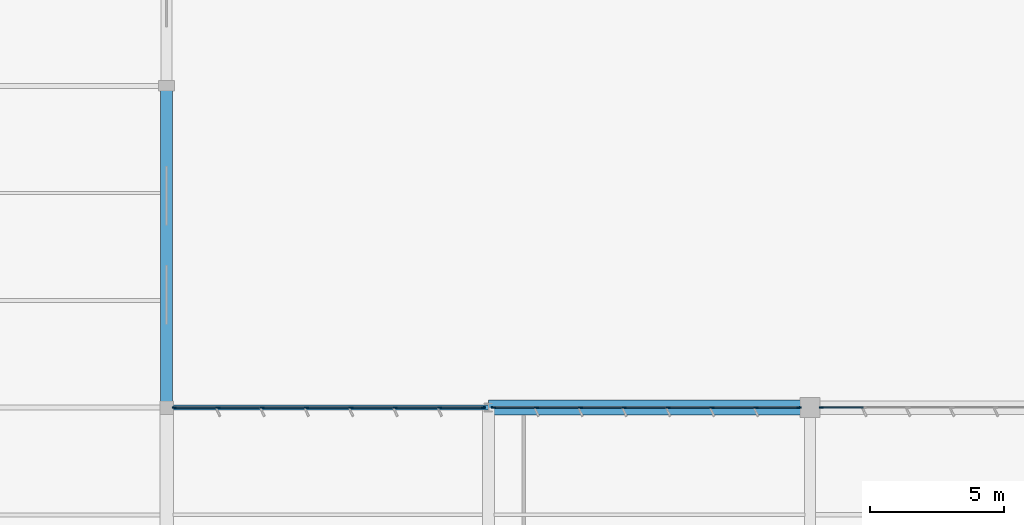
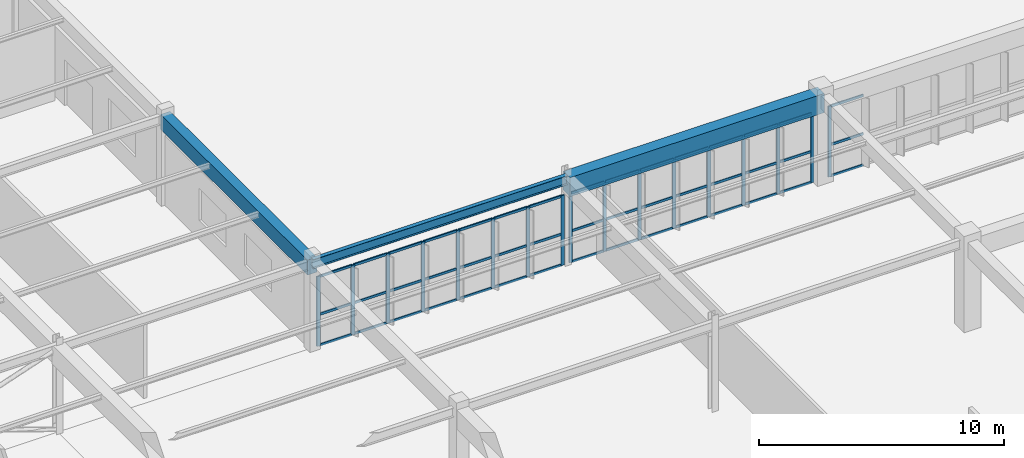
# One storey, part 76 of 199: 62 members, 3 beams, 3 elements without a shape of their own.
"""IFC4 building model written with IfcOpenShell, lengths in metres."""

import ifcopenshell
import ifcopenshell.guid

model = None  # the IFC model being written
_history = None  # IfcOwnerHistory: only IFC2X3 demands one
_inside = {}  # id of a spatial element -> (the spatial element, [elements in it])
_under = {}  # id of a project, library or spatial element -> (it, [spatial elements below it])
_declared = {}  # id of a project -> (the project, [libraries it declares])
_typed = {}  # id of a type object -> (the type object, [elements of that type])
_made_of = {}  # id of a material, layer set ... -> (it, [elements and type objects made of it])


def new_model(schema):
    """Start an empty IFC model of exactly this schema.

    Asked for "IFC4X3", IfcOpenShell would pick the latest addendum, in which some entities
    have other attributes; the version numbers below select the first issue.
    IFC2X3 requires an IfcOwnerHistory on every rooted entity: one is made here for all.
    """
    global model, _history
    if schema == "IFC4X3":
        model = ifcopenshell.file(schema_version=(4, 3, 0, 0))
    else:
        model = ifcopenshell.file(schema=schema)
    _inside.clear()
    _under.clear()
    _declared.clear()
    _typed.clear()
    _made_of.clear()
    _history = None
    if model.schema == "IFC2X3":
        org = make("IfcOrganization", Name="unknown")
        user = make(
            "IfcPersonAndOrganization",
            ThePerson=make("IfcPerson", FamilyName="unknown"),
            TheOrganization=org,
        )
        app = make(
            "IfcApplication",
            ApplicationDeveloper=org,
            Version="unknown",
            ApplicationFullName="unknown",
            ApplicationIdentifier="unknown",
        )
        _history = make(
            "IfcOwnerHistory",
            OwningUser=user,
            OwningApplication=app,
            ChangeAction="ADDED",
            CreationDate=0,
        )
    return model


def make(cls, **values):
    """One entity of the class cls with the attributes given. An attribute that is None is left unset."""
    return model.create_entity(
        cls, **{name: value for name, value in values.items() if value is not None}
    )


def rooted(cls, **values):
    """An entity with a GlobalId (a new one), such as an element, a storey or a relation."""
    return make(cls, GlobalId=ifcopenshell.guid.new(), OwnerHistory=_history, **values)


def si_unit(unit_type, name, prefix=None):
    """IfcSIUnit, for example si_unit("LENGTHUNIT", "METRE", prefix="MILLI")."""
    return make("IfcSIUnit", UnitType=unit_type, Prefix=prefix, Name=name)


def assignment(units):
    """IfcUnitAssignment: the units of a project."""
    return None if units is None else make("IfcUnitAssignment", Units=units)


def point(xyz):
    """IfcCartesianPoint."""
    return None if xyz is None else make("IfcCartesianPoint", Coordinates=xyz)


def direction(xyz):
    """IfcDirection."""
    return None if xyz is None else make("IfcDirection", DirectionRatios=xyz)


def frame(location, z_axis=None, x_axis=None):
    """IfcAxis2Placement3D, a coordinate frame: its origin and axes. An axis left out is left unset."""
    return make(
        "IfcAxis2Placement3D",
        Location=point(location),
        Axis=direction(z_axis),
        RefDirection=direction(x_axis),
    )


def frame_2d(location, x_axis=None):
    """IfcAxis2Placement2D, a coordinate frame in the plane: its origin and x axis."""
    return make(
        "IfcAxis2Placement2D", Location=point(location), RefDirection=direction(x_axis)
    )


def origin():
    """The frame at (0, 0, 0) with its axes left unset."""
    return frame((0.0, 0.0, 0.0))


def origin_2d():
    """The frame at (0, 0) in the plane with its x axis left unset."""
    return frame_2d((0.0, 0.0))


def place(relative_to, where):
    """IfcLocalPlacement: puts the frame where relative to a parent placement (None: the world)."""
    return make(
        "IfcLocalPlacement", PlacementRelTo=relative_to, RelativePlacement=where
    )


def context(
    kind, dimensions, precision=None, world=None, true_north=None, identifier=None
):
    """IfcGeometricRepresentationContext, for example the 3D "Model" context."""
    return make(
        "IfcGeometricRepresentationContext",
        ContextIdentifier=identifier,
        ContextType=kind,
        CoordinateSpaceDimension=dimensions,
        Precision=precision,
        WorldCoordinateSystem=world,
        TrueNorth=true_north,
    )


def subcontext(parent, identifier, kind, view, scale=None):
    """IfcGeometricRepresentationSubContext, for example "Body" below "Model"."""
    return make(
        "IfcGeometricRepresentationSubContext",
        ContextIdentifier=identifier,
        ContextType=kind,
        ParentContext=parent,
        TargetScale=scale,
        TargetView=view,
    )


def project(units=None, contexts=None):
    """IfcProject with its units and contexts."""
    return rooted(
        "IfcProject",
        Name="project",
        RepresentationContexts=contexts,
        UnitsInContext=assignment(units),
    )


def spatial(cls, under=None, at=None, **own):
    """A site, building, storey or space (cls), placed at a placement, below another one or the project."""
    s = rooted(cls, ObjectPlacement=at, **own)
    if under is not None:
        _under.setdefault(under.id(), (under, []))[1].append(s)
    return s


def profile(cls, at=None, kind="AREA", **sizes):
    """A parametric profile (cls). Its sizes go by their IFC names, for example OverallWidth=200.0."""
    return make(cls, ProfileType=kind, Position=at, **sizes)


def rectangle(**sizes):
    """IfcRectangleProfileDef."""
    return profile("IfcRectangleProfileDef", **sizes)


def i_section(**sizes):
    """IfcIShapeProfileDef."""
    return profile("IfcIShapeProfileDef", **sizes)


def extrude(swept, where, along, depth):
    """IfcExtrudedAreaSolid: the profile swept, set in the frame where, extruded along a direction by depth."""
    return make(
        "IfcExtrudedAreaSolid",
        SweptArea=swept,
        Position=where,
        ExtrudedDirection=direction(along),
        Depth=depth,
    )


def shape(context_of_items, identifier, shape_type, items):
    """IfcShapeRepresentation: the items that make up one representation, for example the "Body"."""
    return make(
        "IfcShapeRepresentation",
        ContextOfItems=context_of_items,
        RepresentationIdentifier=identifier,
        RepresentationType=shape_type,
        Items=items,
    )


def material(Name=None, Category=None):
    """IfcMaterial."""
    return make("IfcMaterial", Name=Name, Category=Category)


def layer(
    of_material, thickness, ventilated=None, Name=None, Category=None, Priority=None
):
    """IfcMaterialLayer: one layer of a wall or slab, of a material (None: an air gap)."""
    return make(
        "IfcMaterialLayer",
        Material=of_material,
        LayerThickness=thickness,
        IsVentilated=ventilated,
        Name=Name,
        Category=Category,
        Priority=Priority,
    )


def layer_set(layers, Name=None):
    """IfcMaterialLayerSet."""
    return make("IfcMaterialLayerSet", MaterialLayers=layers, LayerSetName=Name)


def material_profile(
    of_material, cross_section, Name=None, Category=None, Priority=None
):
    """IfcMaterialProfile: a cross section and its material."""
    return make(
        "IfcMaterialProfile",
        Name=Name,
        Material=of_material,
        Profile=cross_section,
        Priority=Priority,
        Category=Category,
    )


def profile_set(profiles, Name=None, composite=None):
    """IfcMaterialProfileSet."""
    return make(
        "IfcMaterialProfileSet",
        Name=Name,
        MaterialProfiles=profiles,
        CompositeProfile=composite,
    )


def made_of(thing, what):
    """Note that an element or type object is made of a material, layer set ...; save() writes the relation."""
    if what is not None:
        _made_of.setdefault(what.id(), (what, []))[1].append(thing)
    return thing


def type_object(cls, material=None, **own):
    """A type object (cls), such as IfcWallType, which elements share."""
    return made_of(rooted(cls, **own), material)


def element(
    cls,
    number,
    at=None,
    inside=None,
    cuts=None,
    type_object=None,
    material=None,
    context=None,
    identifier="Body",
    shape_type=None,
    held_by="IfcProductDefinitionShape",
    body=None,
    shapes=None,
    **own,
):
    """One element of the class cls, such as IfcWall. Its Tag is "e" and its number.

    at: its placement. inside: the storey or other place that contains it. cuts: it is an
    opening in that element (IfcRelVoidsElement). A single representation is given by context,
    identifier, shape_type and body (its items); several are given by shapes. held_by: the class
    of the entity that holds the representations. save() writes the other relations.
    """
    e = rooted(cls, Tag="e%d" % number, ObjectPlacement=at, **own)
    if body is not None:
        shapes = [shape(context, identifier, shape_type, body)]
    if shapes is not None:
        e.Representation = make(held_by, Representations=shapes)
    if inside is not None:
        _inside.setdefault(inside.id(), (inside, []))[1].append(e)
    if cuts is not None:
        rooted(
            "IfcRelVoidsElement", RelatingBuildingElement=cuts, RelatedOpeningElement=e
        )
    if type_object is not None:
        _typed.setdefault(type_object.id(), (type_object, []))[1].append(e)
    return made_of(e, material)


def aggregate(whole, parts):
    """IfcRelAggregates: a whole, such as a stair, and the parts it consists of."""
    return rooted("IfcRelAggregates", RelatingObject=whole, RelatedObjects=parts)


def save(model, path):
    """Write the relations noted so far, then the file.

    IfcRelAggregates (storeys below a building ...), IfcRelContainedInSpatialStructure (elements
    in a storey), IfcRelDefinesByType, IfcRelAssociatesMaterial and IfcRelDeclares: one each for
    every whole, place, type object, material and project.
    """
    for whole, parts in _under.values():
        aggregate(whole, parts)
    for where, things in _inside.values():
        rooted(
            "IfcRelContainedInSpatialStructure",
            RelatedElements=things,
            RelatingStructure=where,
        )
    for kind, things in _typed.values():
        rooted("IfcRelDefinesByType", RelatedObjects=things, RelatingType=kind)
    for what, things in _made_of.values():
        rooted("IfcRelAssociatesMaterial", RelatedObjects=things, RelatingMaterial=what)
    for by, libraries in _declared.values():
        rooted("IfcRelDeclares", RelatingContext=by, RelatedDefinitions=libraries)
    model.write(path)


model = new_model("IFC4")

# Units and contexts
model_context = context("Model", 3, precision=1e-05, world=origin(), true_north=direction((0.0, 1.0)))
body_context = subcontext(model_context, "Body", "Model", "MODEL_VIEW")
ifc_project = project(units=[si_unit("LENGTHUNIT", "METRE"), si_unit("AREAUNIT", "SQUARE_METRE"), si_unit("VOLUMEUNIT", "CUBIC_METRE"), si_unit("PLANEANGLEUNIT", "RADIAN"), si_unit("MASSUNIT", "GRAM", prefix="KILO")], contexts=[model_context])

# Site, building, storey
site_placement = place(None, origin())
site = spatial("IfcSite", under=ifc_project, at=site_placement, CompositionType="ELEMENT")
building_placement = place(site_placement, origin())
building = spatial("IfcBuilding", under=site, at=building_placement, Name="Tarnwether General Hospital", CompositionType="ELEMENT")
storey_placement = place(building_placement, origin())
storey = spatial("IfcBuildingStorey", under=building, at=storey_placement, Name="L00", CompositionType="ELEMENT", Elevation=0.0)

# Beams
ifc_material_1 = material(Name="Steel Grade 350 (350 MPa)", Category="steel")
ifc_material_profile_1 = material_profile(ifc_material_1, i_section(OverallWidth=0.18994140625, OverallDepth=0.4541015625, WebThickness=0.008544921875, FlangeThickness=0.0126953125, at=origin_2d()), Name="460UB67.1")
ifc_profile_set_1 = profile_set([ifc_material_profile_1], Name="Steel Grade 350 (350 MPa)")
beam_type_1 = type_object("IfcBeamType", Name="BM-G10", PredefinedType="BEAM", material=ifc_profile_set_1)
beam_1_placement = place(storey_placement, frame((60.0, 45.60009765625, 4.218017578125), z_axis=(1.0, 0.0, 0.0), x_axis=(0.0, 1.0, 0.0)))
element("IfcBeam", 1, at=beam_1_placement, inside=storey, type_object=beam_type_1, Name="Primary Girder BMG-L00-6000_4560-7200_4560-0698", PredefinedType="BEAM", context=body_context, shape_type="SweptSolid", body=[
    extrude(i_section(OverallWidth=0.18994140625, OverallDepth=0.4541015625, WebThickness=0.008544921875, FlangeThickness=0.0126953125, at=origin_2d()), origin(), (0.0, 0.0, 1.0), 12.0),
])
ifc_material_2 = material(Name="Concrete 40 MPa", Category="concrete")
ifc_material_profile_2 = material_profile(ifc_material_2, rectangle(XDim=0.550048828125, YDim=0.949951171875, at=origin_2d()), Name="RC-BM-550x950")
ifc_profile_set_2 = profile_set([ifc_material_profile_2], Name="Concrete 40 MPa")
beam_type_2 = type_object("IfcBeamType", Name="BM-G11", PredefinedType="BEAM", material=ifc_profile_set_2)
beam_2_placement = place(storey_placement, frame((72.0, 45.60009765625, 3.969970703125), z_axis=(1.0, 0.0, 0.0), x_axis=(0.0, 1.0, 0.0)))
element("IfcBeam", 2, at=beam_2_placement, inside=storey, type_object=beam_type_2, Name="Primary Girder BMG-L00-7200_4560-8400_4560-0712", PredefinedType="BEAM", context=body_context, shape_type="SweptSolid", body=[
    extrude(rectangle(XDim=0.550048828125, YDim=0.949951171875, at=origin_2d()), origin(), (0.0, 0.0, 1.0), 12.0),
])
ifc_material_3 = material(Name="Concrete 40 MPa", Category="concrete")
ifc_material_profile_3 = material_profile(ifc_material_3, rectangle(XDim=0.449951171875, YDim=0.75, at=origin_2d()), Name="RC-BM-450x750")
ifc_profile_set_3 = profile_set([ifc_material_profile_3], Name="Concrete 40 MPa")
beam_type_3 = type_object("IfcBeamType", Name="BM-G13", PredefinedType="BEAM", material=ifc_profile_set_3)
beam_3_placement = place(storey_placement, frame((60.0, 45.60009765625, 4.070068359375), z_axis=(0.0, 1.0, 0.0), x_axis=(-1.0, 0.0, 0.0)))
element("IfcBeam", 3, at=beam_3_placement, inside=storey, type_object=beam_type_3, Name="Primary Girder BMG-L00-6000_4560-6000_5760-0699", PredefinedType="BEAM", context=body_context, shape_type="SweptSolid", body=[
    extrude(rectangle(XDim=0.449951171875, YDim=0.75, at=origin_2d()), origin(), (0.0, 0.0, 1.0), 12.0),
])

# Curtain wall, member
ifc_material_4 = material(Name="Anodised aluminium", Category="aluminium")
ifc_layer = layer(ifc_material_4, 0.159912109375)
ifc_layer_set = layer_set([ifc_layer], Name="Anodised aluminium")
curtain_wall_type = type_object("IfcCurtainWallType", Name="CW-24", PredefinedType="NOTDEFINED", material=ifc_layer_set)
curtain_wall_1_placement = place(storey_placement, origin())
curtain_wall_1 = element("IfcCurtainWall", 4, at=curtain_wall_1_placement, inside=storey, type_object=curtain_wall_type, Name="Curtain Wall CWG-L00-958_456-0310", PredefinedType="NOTDEFINED")
ifc_material_5 = material(Name="Anodised aluminium", Category="aluminium")
ifc_material_profile_4 = material_profile(ifc_material_5, rectangle(XDim=0.06005859375, YDim=0.159912109375, at=origin_2d()), Name="ALU-MUL-60x160")
ifc_profile_set_4 = profile_set([ifc_material_profile_4], Name="Anodised aluminium")
member_type_1 = type_object("IfcMemberType", Name="CW-ML1", PredefinedType="MULLION", material=ifc_profile_set_4)
member_1_placement = place(storey_placement, frame((84.4130859375, 45.60009765625, 0.0), z_axis=(0.0, 0.0, 1.0), x_axis=(0.0, -1.0, 0.0)))
member_1 = element("IfcMember", 5, at=member_1_placement, type_object=member_type_1, Name="CW-24 mullion 8", PredefinedType="MULLION", context=body_context, shape_type="SweptSolid", body=[
    extrude(rectangle(XDim=0.06005859375, YDim=0.159912109375, at=origin_2d()), origin(), (0.0, 0.0, 1.0), 3.530029296875),
])

# Curtain wall, members
curtain_wall_2_placement = place(storey_placement, origin())
curtain_wall_2 = element("IfcCurtainWall", 6, at=curtain_wall_2_placement, inside=storey, type_object=curtain_wall_type, Name="Curtain Wall CWG-L00-836_456-0311", PredefinedType="NOTDEFINED")
member_2_placement = place(storey_placement, frame((83.5869140625, 45.60009765625, 0.0), z_axis=(0.0, 0.0, 1.0), x_axis=(0.0, -1.0, 0.0)))
member_2 = element("IfcMember", 7, at=member_2_placement, type_object=member_type_1, Name="CW-24 mullion 1", PredefinedType="MULLION", context=body_context, shape_type="SweptSolid", body=[
    extrude(rectangle(XDim=0.06005859375, YDim=0.159912109375, at=origin_2d()), origin(), (0.0, 0.0, 1.0), 3.47998046875),
])
member_3_placement = place(storey_placement, frame((81.98046875, 45.60009765625, 0.0), z_axis=(0.0, 0.0, 1.0), x_axis=(0.0, -1.0, 0.0)))
member_3 = element("IfcMember", 8, at=member_3_placement, type_object=member_type_1, Name="CW-24 mullion 2", PredefinedType="MULLION", context=body_context, shape_type="SweptSolid", body=[
    extrude(rectangle(XDim=0.06005859375, YDim=0.159912109375, at=origin_2d()), origin(), (0.0, 0.0, 1.0), 3.47998046875),
])
member_4_placement = place(storey_placement, frame((80.34375, 45.60009765625, 0.0), z_axis=(0.0, 0.0, 1.0), x_axis=(0.0, -1.0, 0.0)))
member_4 = element("IfcMember", 9, at=member_4_placement, type_object=member_type_1, Name="CW-24 mullion 3", PredefinedType="MULLION", context=body_context, shape_type="SweptSolid", body=[
    extrude(rectangle(XDim=0.06005859375, YDim=0.159912109375, at=origin_2d()), origin(), (0.0, 0.0, 1.0), 3.47998046875),
])
member_5_placement = place(storey_placement, frame((78.707275390625, 45.60009765625, 0.0), z_axis=(0.0, 0.0, 1.0), x_axis=(0.0, -1.0, 0.0)))
member_5 = element("IfcMember", 10, at=member_5_placement, type_object=member_type_1, Name="CW-24 mullion 4", PredefinedType="MULLION", context=body_context, shape_type="SweptSolid", body=[
    extrude(rectangle(XDim=0.06005859375, YDim=0.159912109375, at=origin_2d()), origin(), (0.0, 0.0, 1.0), 3.47998046875),
])
member_6_placement = place(storey_placement, frame((77.07080078125, 45.60009765625, 0.0), z_axis=(0.0, 0.0, 1.0), x_axis=(0.0, -1.0, 0.0)))
member_6 = element("IfcMember", 11, at=member_6_placement, type_object=member_type_1, Name="CW-24 mullion 5", PredefinedType="MULLION", context=body_context, shape_type="SweptSolid", body=[
    extrude(rectangle(XDim=0.06005859375, YDim=0.159912109375, at=origin_2d()), origin(), (0.0, 0.0, 1.0), 3.47998046875),
])
member_7_placement = place(storey_placement, frame((75.43408203125, 45.60009765625, 0.0), z_axis=(0.0, 0.0, 1.0), x_axis=(0.0, -1.0, 0.0)))
member_7 = element("IfcMember", 12, at=member_7_placement, type_object=member_type_1, Name="CW-24 mullion 6", PredefinedType="MULLION", context=body_context, shape_type="SweptSolid", body=[
    extrude(rectangle(XDim=0.06005859375, YDim=0.159912109375, at=origin_2d()), origin(), (0.0, 0.0, 1.0), 3.47998046875),
])
member_8_placement = place(storey_placement, frame((73.797607421875, 45.60009765625, 0.0), z_axis=(0.0, 0.0, 1.0), x_axis=(0.0, -1.0, 0.0)))
member_8 = element("IfcMember", 13, at=member_8_placement, type_object=member_type_1, Name="CW-24 mullion 7", PredefinedType="MULLION", context=body_context, shape_type="SweptSolid", body=[
    extrude(rectangle(XDim=0.06005859375, YDim=0.159912109375, at=origin_2d()), origin(), (0.0, 0.0, 1.0), 3.47998046875),
])
member_9_placement = place(storey_placement, frame((72.19091796875, 45.60009765625, 0.0), z_axis=(0.0, 0.0, 1.0), x_axis=(0.0, -1.0, 0.0)))
member_9 = element("IfcMember", 14, at=member_9_placement, type_object=member_type_1, Name="CW-24 mullion 8", PredefinedType="MULLION", context=body_context, shape_type="SweptSolid", body=[
    extrude(rectangle(XDim=0.06005859375, YDim=0.159912109375, at=origin_2d()), origin(), (0.0, 0.0, 1.0), 3.47998046875),
])

curtain_wall_3_placement = place(storey_placement, origin())
curtain_wall_3 = element("IfcCurtainWall", 15, at=curtain_wall_3_placement, inside=storey, type_object=curtain_wall_type, Name="Curtain Wall CWG-L00-718_456-0312", PredefinedType="NOTDEFINED")
member_10_placement = place(storey_placement, frame((71.80908203125, 45.60009765625, 0.0), z_axis=(0.0, 0.0, 1.0), x_axis=(0.0, -1.0, 0.0)))
member_10 = element("IfcMember", 16, at=member_10_placement, type_object=member_type_1, Name="CW-24 mullion 1", PredefinedType="MULLION", context=body_context, shape_type="SweptSolid", body=[
    extrude(rectangle(XDim=0.06005859375, YDim=0.159912109375, at=origin_2d()), origin(), (0.0, 0.0, 1.0), 3.47998046875),
])
member_11_placement = place(storey_placement, frame((70.1845703125, 45.60009765625, 0.0), z_axis=(0.0, 0.0, 1.0), x_axis=(0.0, -1.0, 0.0)))
member_11 = element("IfcMember", 17, at=member_11_placement, type_object=member_type_1, Name="CW-24 mullion 2", PredefinedType="MULLION", context=body_context, shape_type="SweptSolid", body=[
    extrude(rectangle(XDim=0.06005859375, YDim=0.159912109375, at=origin_2d()), origin(), (0.0, 0.0, 1.0), 3.47998046875),
])
member_12_placement = place(storey_placement, frame((68.530029296875, 45.60009765625, 0.0), z_axis=(0.0, 0.0, 1.0), x_axis=(0.0, -1.0, 0.0)))
member_12 = element("IfcMember", 18, at=member_12_placement, type_object=member_type_1, Name="CW-24 mullion 3", PredefinedType="MULLION", context=body_context, shape_type="SweptSolid", body=[
    extrude(rectangle(XDim=0.06005859375, YDim=0.159912109375, at=origin_2d()), origin(), (0.0, 0.0, 1.0), 3.47998046875),
])
member_13_placement = place(storey_placement, frame((66.875732421875, 45.60009765625, 0.0), z_axis=(0.0, 0.0, 1.0), x_axis=(0.0, -1.0, 0.0)))
member_13 = element("IfcMember", 19, at=member_13_placement, type_object=member_type_1, Name="CW-24 mullion 4", PredefinedType="MULLION", context=body_context, shape_type="SweptSolid", body=[
    extrude(rectangle(XDim=0.06005859375, YDim=0.159912109375, at=origin_2d()), origin(), (0.0, 0.0, 1.0), 3.47998046875),
])
member_14_placement = place(storey_placement, frame((65.22119140625, 45.60009765625, 0.0), z_axis=(0.0, 0.0, 1.0), x_axis=(0.0, -1.0, 0.0)))
member_14 = element("IfcMember", 20, at=member_14_placement, type_object=member_type_1, Name="CW-24 mullion 5", PredefinedType="MULLION", context=body_context, shape_type="SweptSolid", body=[
    extrude(rectangle(XDim=0.06005859375, YDim=0.159912109375, at=origin_2d()), origin(), (0.0, 0.0, 1.0), 3.47998046875),
])
member_15_placement = place(storey_placement, frame((63.56689453125, 45.60009765625, 0.0), z_axis=(0.0, 0.0, 1.0), x_axis=(0.0, -1.0, 0.0)))
member_15 = element("IfcMember", 21, at=member_15_placement, type_object=member_type_1, Name="CW-24 mullion 6", PredefinedType="MULLION", context=body_context, shape_type="SweptSolid", body=[
    extrude(rectangle(XDim=0.06005859375, YDim=0.159912109375, at=origin_2d()), origin(), (0.0, 0.0, 1.0), 3.47998046875),
])
member_16_placement = place(storey_placement, frame((61.912353515625, 45.60009765625, 0.0), z_axis=(0.0, 0.0, 1.0), x_axis=(0.0, -1.0, 0.0)))
member_16 = element("IfcMember", 22, at=member_16_placement, type_object=member_type_1, Name="CW-24 mullion 7", PredefinedType="MULLION", context=body_context, shape_type="SweptSolid", body=[
    extrude(rectangle(XDim=0.06005859375, YDim=0.159912109375, at=origin_2d()), origin(), (0.0, 0.0, 1.0), 3.47998046875),
])
member_17_placement = place(storey_placement, frame((60.2880859375, 45.60009765625, 0.0), z_axis=(0.0, 0.0, 1.0), x_axis=(0.0, -1.0, 0.0)))
member_17 = element("IfcMember", 23, at=member_17_placement, type_object=member_type_1, Name="CW-24 mullion 8", PredefinedType="MULLION", context=body_context, shape_type="SweptSolid", body=[
    extrude(rectangle(XDim=0.06005859375, YDim=0.159912109375, at=origin_2d()), origin(), (0.0, 0.0, 1.0), 3.47998046875),
])

# Member
ifc_material_6 = material(Name="Anodised aluminium", Category="aluminium")
ifc_material_profile_5 = material_profile(ifc_material_6, rectangle(XDim=0.06005859375, YDim=0.1201171875, at=origin_2d()), Name="ALU-TRN-60x120")
ifc_profile_set_5 = profile_set([ifc_material_profile_5], Name="Anodised aluminium")
member_type_2 = type_object("IfcMemberType", Name="CW-TR1", PredefinedType="USERDEFINED", material=ifc_profile_set_5)
member_18_placement = place(storey_placement, frame((85.9892578125, 45.60009765625, 0.030029296875), z_axis=(-1.0, 0.0, 0.0), x_axis=(0.0, -1.0, 0.0)))
member_18 = element("IfcMember", 24, at=member_18_placement, type_object=member_type_2, Name="CW-24 transom 7.1", ObjectType="TRANSOM", PredefinedType="USERDEFINED", context=body_context, shape_type="SweptSolid", body=[
    extrude(rectangle(XDim=0.06005859375, YDim=0.1201171875, at=origin_2d()), origin(), (0.0, 0.0, 1.0), 1.546142578125),
])

member_19_placement = place(storey_placement, frame((85.9892578125, 45.60009765625, 1.58837890625), z_axis=(-1.0, 0.0, 0.0), x_axis=(0.0, -1.0, 0.0)))
member_19 = element("IfcMember", 25, at=member_19_placement, type_object=member_type_2, Name="CW-24 transom 7.2", ObjectType="TRANSOM", PredefinedType="USERDEFINED", context=body_context, shape_type="SweptSolid", body=[
    extrude(rectangle(XDim=0.06005859375, YDim=0.1201171875, at=origin_2d()), origin(), (0.0, 0.0, 1.0), 1.546142578125),
])

member_20_placement = place(storey_placement, frame((85.9892578125, 45.60009765625, 3.5), z_axis=(-1.0, 0.0, 0.0), x_axis=(0.0, -1.0, 0.0)))
member_20 = element("IfcMember", 26, at=member_20_placement, type_object=member_type_2, Name="CW-24 transom 7.3", ObjectType="TRANSOM", PredefinedType="USERDEFINED", context=body_context, shape_type="SweptSolid", body=[
    extrude(rectangle(XDim=0.06005859375, YDim=0.1201171875, at=origin_2d()), origin(), (0.0, 0.0, 1.0), 1.546142578125),
])

aggregate(curtain_wall_1, [member_1, member_18, member_19, member_20])

member_21_placement = place(storey_placement, frame((83.556884765625, 45.60009765625, 0.030029296875), z_axis=(-1.0, 0.0, 0.0), x_axis=(0.0, -1.0, 0.0)))
member_21 = element("IfcMember", 27, at=member_21_placement, type_object=member_type_2, Name="CW-24 transom 1.1", ObjectType="TRANSOM", PredefinedType="USERDEFINED", context=body_context, shape_type="SweptSolid", body=[
    extrude(rectangle(XDim=0.06005859375, YDim=0.1201171875, at=origin_2d()), origin(), (0.0, 0.0, 1.0), 1.54638671875),
])

member_22_placement = place(storey_placement, frame((83.556884765625, 45.60009765625, 1.56591796875), z_axis=(-1.0, 0.0, 0.0), x_axis=(0.0, -1.0, 0.0)))
member_22 = element("IfcMember", 28, at=member_22_placement, type_object=member_type_2, Name="CW-24 transom 1.2", ObjectType="TRANSOM", PredefinedType="USERDEFINED", context=body_context, shape_type="SweptSolid", body=[
    extrude(rectangle(XDim=0.06005859375, YDim=0.1201171875, at=origin_2d()), origin(), (0.0, 0.0, 1.0), 1.54638671875),
])

member_23_placement = place(storey_placement, frame((83.556884765625, 45.60009765625, 3.449951171875), z_axis=(-1.0, 0.0, 0.0), x_axis=(0.0, -1.0, 0.0)))
member_23 = element("IfcMember", 29, at=member_23_placement, type_object=member_type_2, Name="CW-24 transom 1.3", ObjectType="TRANSOM", PredefinedType="USERDEFINED", context=body_context, shape_type="SweptSolid", body=[
    extrude(rectangle(XDim=0.06005859375, YDim=0.1201171875, at=origin_2d()), origin(), (0.0, 0.0, 1.0), 1.54638671875),
])

member_24_placement = place(storey_placement, frame((81.950439453125, 45.60009765625, 0.030029296875), z_axis=(-1.0, 0.0, 0.0), x_axis=(0.0, -1.0, 0.0)))
member_24 = element("IfcMember", 30, at=member_24_placement, type_object=member_type_2, Name="CW-24 transom 2.1", ObjectType="TRANSOM", PredefinedType="USERDEFINED", context=body_context, shape_type="SweptSolid", body=[
    extrude(rectangle(XDim=0.06005859375, YDim=0.1201171875, at=origin_2d()), origin(), (0.0, 0.0, 1.0), 1.57666015625),
])

member_25_placement = place(storey_placement, frame((81.950439453125, 45.60009765625, 1.56591796875), z_axis=(-1.0, 0.0, 0.0), x_axis=(0.0, -1.0, 0.0)))
member_25 = element("IfcMember", 31, at=member_25_placement, type_object=member_type_2, Name="CW-24 transom 2.2", ObjectType="TRANSOM", PredefinedType="USERDEFINED", context=body_context, shape_type="SweptSolid", body=[
    extrude(rectangle(XDim=0.06005859375, YDim=0.1201171875, at=origin_2d()), origin(), (0.0, 0.0, 1.0), 1.57666015625),
])

member_26_placement = place(storey_placement, frame((81.950439453125, 45.60009765625, 3.449951171875), z_axis=(-1.0, 0.0, 0.0), x_axis=(0.0, -1.0, 0.0)))
member_26 = element("IfcMember", 32, at=member_26_placement, type_object=member_type_2, Name="CW-24 transom 2.3", ObjectType="TRANSOM", PredefinedType="USERDEFINED", context=body_context, shape_type="SweptSolid", body=[
    extrude(rectangle(XDim=0.06005859375, YDim=0.1201171875, at=origin_2d()), origin(), (0.0, 0.0, 1.0), 1.57666015625),
])

member_27_placement = place(storey_placement, frame((80.31396484375, 45.60009765625, 0.030029296875), z_axis=(-1.0, 0.0, 0.0), x_axis=(0.0, -1.0, 0.0)))
member_27 = element("IfcMember", 33, at=member_27_placement, type_object=member_type_2, Name="CW-24 transom 3.1", ObjectType="TRANSOM", PredefinedType="USERDEFINED", context=body_context, shape_type="SweptSolid", body=[
    extrude(rectangle(XDim=0.06005859375, YDim=0.1201171875, at=origin_2d()), origin(), (0.0, 0.0, 1.0), 1.57666015625),
])

member_28_placement = place(storey_placement, frame((80.31396484375, 45.60009765625, 1.56591796875), z_axis=(-1.0, 0.0, 0.0), x_axis=(0.0, -1.0, 0.0)))
member_28 = element("IfcMember", 34, at=member_28_placement, type_object=member_type_2, Name="CW-24 transom 3.2", ObjectType="TRANSOM", PredefinedType="USERDEFINED", context=body_context, shape_type="SweptSolid", body=[
    extrude(rectangle(XDim=0.06005859375, YDim=0.1201171875, at=origin_2d()), origin(), (0.0, 0.0, 1.0), 1.57666015625),
])

member_29_placement = place(storey_placement, frame((80.31396484375, 45.60009765625, 3.449951171875), z_axis=(-1.0, 0.0, 0.0), x_axis=(0.0, -1.0, 0.0)))
member_29 = element("IfcMember", 35, at=member_29_placement, type_object=member_type_2, Name="CW-24 transom 3.3", ObjectType="TRANSOM", PredefinedType="USERDEFINED", context=body_context, shape_type="SweptSolid", body=[
    extrude(rectangle(XDim=0.06005859375, YDim=0.1201171875, at=origin_2d()), origin(), (0.0, 0.0, 1.0), 1.57666015625),
])

member_30_placement = place(storey_placement, frame((78.67724609375, 45.60009765625, 0.030029296875), z_axis=(-1.0, 0.0, 0.0), x_axis=(0.0, -1.0, 0.0)))
member_30 = element("IfcMember", 36, at=member_30_placement, type_object=member_type_2, Name="CW-24 transom 4.1", ObjectType="TRANSOM", PredefinedType="USERDEFINED", context=body_context, shape_type="SweptSolid", body=[
    extrude(rectangle(XDim=0.06005859375, YDim=0.1201171875, at=origin_2d()), origin(), (0.0, 0.0, 1.0), 1.576416015625),
])

member_31_placement = place(storey_placement, frame((78.67724609375, 45.60009765625, 1.56591796875), z_axis=(-1.0, 0.0, 0.0), x_axis=(0.0, -1.0, 0.0)))
member_31 = element("IfcMember", 37, at=member_31_placement, type_object=member_type_2, Name="CW-24 transom 4.2", ObjectType="TRANSOM", PredefinedType="USERDEFINED", context=body_context, shape_type="SweptSolid", body=[
    extrude(rectangle(XDim=0.06005859375, YDim=0.1201171875, at=origin_2d()), origin(), (0.0, 0.0, 1.0), 1.576416015625),
])

member_32_placement = place(storey_placement, frame((78.67724609375, 45.60009765625, 3.449951171875), z_axis=(-1.0, 0.0, 0.0), x_axis=(0.0, -1.0, 0.0)))
member_32 = element("IfcMember", 38, at=member_32_placement, type_object=member_type_2, Name="CW-24 transom 4.3", ObjectType="TRANSOM", PredefinedType="USERDEFINED", context=body_context, shape_type="SweptSolid", body=[
    extrude(rectangle(XDim=0.06005859375, YDim=0.1201171875, at=origin_2d()), origin(), (0.0, 0.0, 1.0), 1.576416015625),
])

member_33_placement = place(storey_placement, frame((77.040771484375, 45.60009765625, 0.030029296875), z_axis=(-1.0, 0.0, 0.0), x_axis=(0.0, -1.0, 0.0)))
member_33 = element("IfcMember", 39, at=member_33_placement, type_object=member_type_2, Name="CW-24 transom 5.1", ObjectType="TRANSOM", PredefinedType="USERDEFINED", context=body_context, shape_type="SweptSolid", body=[
    extrude(rectangle(XDim=0.06005859375, YDim=0.1201171875, at=origin_2d()), origin(), (0.0, 0.0, 1.0), 1.57666015625),
])

member_34_placement = place(storey_placement, frame((77.040771484375, 45.60009765625, 1.56591796875), z_axis=(-1.0, 0.0, 0.0), x_axis=(0.0, -1.0, 0.0)))
member_34 = element("IfcMember", 40, at=member_34_placement, type_object=member_type_2, Name="CW-24 transom 5.2", ObjectType="TRANSOM", PredefinedType="USERDEFINED", context=body_context, shape_type="SweptSolid", body=[
    extrude(rectangle(XDim=0.06005859375, YDim=0.1201171875, at=origin_2d()), origin(), (0.0, 0.0, 1.0), 1.57666015625),
])

member_35_placement = place(storey_placement, frame((77.040771484375, 45.60009765625, 3.449951171875), z_axis=(-1.0, 0.0, 0.0), x_axis=(0.0, -1.0, 0.0)))
member_35 = element("IfcMember", 41, at=member_35_placement, type_object=member_type_2, Name="CW-24 transom 5.3", ObjectType="TRANSOM", PredefinedType="USERDEFINED", context=body_context, shape_type="SweptSolid", body=[
    extrude(rectangle(XDim=0.06005859375, YDim=0.1201171875, at=origin_2d()), origin(), (0.0, 0.0, 1.0), 1.57666015625),
])

member_36_placement = place(storey_placement, frame((75.404052734375, 45.60009765625, 0.030029296875), z_axis=(-1.0, 0.0, 0.0), x_axis=(0.0, -1.0, 0.0)))
member_36 = element("IfcMember", 42, at=member_36_placement, type_object=member_type_2, Name="CW-24 transom 6.1", ObjectType="TRANSOM", PredefinedType="USERDEFINED", context=body_context, shape_type="SweptSolid", body=[
    extrude(rectangle(XDim=0.06005859375, YDim=0.1201171875, at=origin_2d()), origin(), (0.0, 0.0, 1.0), 1.576416015625),
])

member_37_placement = place(storey_placement, frame((75.404052734375, 45.60009765625, 1.56591796875), z_axis=(-1.0, 0.0, 0.0), x_axis=(0.0, -1.0, 0.0)))
member_37 = element("IfcMember", 43, at=member_37_placement, type_object=member_type_2, Name="CW-24 transom 6.2", ObjectType="TRANSOM", PredefinedType="USERDEFINED", context=body_context, shape_type="SweptSolid", body=[
    extrude(rectangle(XDim=0.06005859375, YDim=0.1201171875, at=origin_2d()), origin(), (0.0, 0.0, 1.0), 1.576416015625),
])

member_38_placement = place(storey_placement, frame((75.404052734375, 45.60009765625, 3.449951171875), z_axis=(-1.0, 0.0, 0.0), x_axis=(0.0, -1.0, 0.0)))
member_38 = element("IfcMember", 44, at=member_38_placement, type_object=member_type_2, Name="CW-24 transom 6.3", ObjectType="TRANSOM", PredefinedType="USERDEFINED", context=body_context, shape_type="SweptSolid", body=[
    extrude(rectangle(XDim=0.06005859375, YDim=0.1201171875, at=origin_2d()), origin(), (0.0, 0.0, 1.0), 1.576416015625),
])

member_39_placement = place(storey_placement, frame((73.767578125, 45.60009765625, 0.030029296875), z_axis=(-1.0, 0.0, 0.0), x_axis=(0.0, -1.0, 0.0)))
member_39 = element("IfcMember", 45, at=member_39_placement, type_object=member_type_2, Name="CW-24 transom 7.1", ObjectType="TRANSOM", PredefinedType="USERDEFINED", context=body_context, shape_type="SweptSolid", body=[
    extrude(rectangle(XDim=0.06005859375, YDim=0.1201171875, at=origin_2d()), origin(), (0.0, 0.0, 1.0), 1.546630859375),
])

member_40_placement = place(storey_placement, frame((73.767578125, 45.60009765625, 1.56591796875), z_axis=(-1.0, 0.0, 0.0), x_axis=(0.0, -1.0, 0.0)))
member_40 = element("IfcMember", 46, at=member_40_placement, type_object=member_type_2, Name="CW-24 transom 7.2", ObjectType="TRANSOM", PredefinedType="USERDEFINED", context=body_context, shape_type="SweptSolid", body=[
    extrude(rectangle(XDim=0.06005859375, YDim=0.1201171875, at=origin_2d()), origin(), (0.0, 0.0, 1.0), 1.546630859375),
])

member_41_placement = place(storey_placement, frame((73.767578125, 45.60009765625, 3.449951171875), z_axis=(-1.0, 0.0, 0.0), x_axis=(0.0, -1.0, 0.0)))
member_41 = element("IfcMember", 47, at=member_41_placement, type_object=member_type_2, Name="CW-24 transom 7.3", ObjectType="TRANSOM", PredefinedType="USERDEFINED", context=body_context, shape_type="SweptSolid", body=[
    extrude(rectangle(XDim=0.06005859375, YDim=0.1201171875, at=origin_2d()), origin(), (0.0, 0.0, 1.0), 1.546630859375),
])

aggregate(curtain_wall_2, [member_2, member_3, member_4, member_5, member_6, member_7, member_8, member_9, member_21, member_22, member_23, member_24, member_25, member_26, member_27, member_28, member_29, member_30, member_31, member_32, member_33, member_34, member_35, member_36, member_37, member_38, member_39, member_40, member_41])

member_42_placement = place(storey_placement, frame((71.779052734375, 45.60009765625, 0.030029296875), z_axis=(-1.0, 0.0, 0.0), x_axis=(0.0, -1.0, 0.0)))
member_42 = element("IfcMember", 48, at=member_42_placement, type_object=member_type_2, Name="CW-24 transom 1.1", ObjectType="TRANSOM", PredefinedType="USERDEFINED", context=body_context, shape_type="SweptSolid", body=[
    extrude(rectangle(XDim=0.06005859375, YDim=0.1201171875, at=origin_2d()), origin(), (0.0, 0.0, 1.0), 1.564453125),
])

member_43_placement = place(storey_placement, frame((71.779052734375, 45.60009765625, 1.56591796875), z_axis=(-1.0, 0.0, 0.0), x_axis=(0.0, -1.0, 0.0)))
member_43 = element("IfcMember", 49, at=member_43_placement, type_object=member_type_2, Name="CW-24 transom 1.2", ObjectType="TRANSOM", PredefinedType="USERDEFINED", context=body_context, shape_type="SweptSolid", body=[
    extrude(rectangle(XDim=0.06005859375, YDim=0.1201171875, at=origin_2d()), origin(), (0.0, 0.0, 1.0), 1.564453125),
])

member_44_placement = place(storey_placement, frame((71.779052734375, 45.60009765625, 3.449951171875), z_axis=(-1.0, 0.0, 0.0), x_axis=(0.0, -1.0, 0.0)))
member_44 = element("IfcMember", 50, at=member_44_placement, type_object=member_type_2, Name="CW-24 transom 1.3", ObjectType="TRANSOM", PredefinedType="USERDEFINED", context=body_context, shape_type="SweptSolid", body=[
    extrude(rectangle(XDim=0.06005859375, YDim=0.1201171875, at=origin_2d()), origin(), (0.0, 0.0, 1.0), 1.564453125),
])

member_45_placement = place(storey_placement, frame((70.154541015625, 45.60009765625, 0.030029296875), z_axis=(-1.0, 0.0, 0.0), x_axis=(0.0, -1.0, 0.0)))
member_45 = element("IfcMember", 51, at=member_45_placement, type_object=member_type_2, Name="CW-24 transom 2.1", ObjectType="TRANSOM", PredefinedType="USERDEFINED", context=body_context, shape_type="SweptSolid", body=[
    extrude(rectangle(XDim=0.06005859375, YDim=0.1201171875, at=origin_2d()), origin(), (0.0, 0.0, 1.0), 1.594482421875),
])

member_46_placement = place(storey_placement, frame((70.154541015625, 45.60009765625, 1.56591796875), z_axis=(-1.0, 0.0, 0.0), x_axis=(0.0, -1.0, 0.0)))
member_46 = element("IfcMember", 52, at=member_46_placement, type_object=member_type_2, Name="CW-24 transom 2.2", ObjectType="TRANSOM", PredefinedType="USERDEFINED", context=body_context, shape_type="SweptSolid", body=[
    extrude(rectangle(XDim=0.06005859375, YDim=0.1201171875, at=origin_2d()), origin(), (0.0, 0.0, 1.0), 1.594482421875),
])

member_47_placement = place(storey_placement, frame((70.154541015625, 45.60009765625, 3.449951171875), z_axis=(-1.0, 0.0, 0.0), x_axis=(0.0, -1.0, 0.0)))
member_47 = element("IfcMember", 53, at=member_47_placement, type_object=member_type_2, Name="CW-24 transom 2.3", ObjectType="TRANSOM", PredefinedType="USERDEFINED", context=body_context, shape_type="SweptSolid", body=[
    extrude(rectangle(XDim=0.06005859375, YDim=0.1201171875, at=origin_2d()), origin(), (0.0, 0.0, 1.0), 1.594482421875),
])

member_48_placement = place(storey_placement, frame((68.500244140625, 45.60009765625, 0.030029296875), z_axis=(-1.0, 0.0, 0.0), x_axis=(0.0, -1.0, 0.0)))
member_48 = element("IfcMember", 54, at=member_48_placement, type_object=member_type_2, Name="CW-24 transom 3.1", ObjectType="TRANSOM", PredefinedType="USERDEFINED", context=body_context, shape_type="SweptSolid", body=[
    extrude(rectangle(XDim=0.06005859375, YDim=0.1201171875, at=origin_2d()), origin(), (0.0, 0.0, 1.0), 1.594482421875),
])

member_49_placement = place(storey_placement, frame((68.500244140625, 45.60009765625, 1.56591796875), z_axis=(-1.0, 0.0, 0.0), x_axis=(0.0, -1.0, 0.0)))
member_49 = element("IfcMember", 55, at=member_49_placement, type_object=member_type_2, Name="CW-24 transom 3.2", ObjectType="TRANSOM", PredefinedType="USERDEFINED", context=body_context, shape_type="SweptSolid", body=[
    extrude(rectangle(XDim=0.06005859375, YDim=0.1201171875, at=origin_2d()), origin(), (0.0, 0.0, 1.0), 1.594482421875),
])

member_50_placement = place(storey_placement, frame((68.500244140625, 45.60009765625, 3.449951171875), z_axis=(-1.0, 0.0, 0.0), x_axis=(0.0, -1.0, 0.0)))
member_50 = element("IfcMember", 56, at=member_50_placement, type_object=member_type_2, Name="CW-24 transom 3.3", ObjectType="TRANSOM", PredefinedType="USERDEFINED", context=body_context, shape_type="SweptSolid", body=[
    extrude(rectangle(XDim=0.06005859375, YDim=0.1201171875, at=origin_2d()), origin(), (0.0, 0.0, 1.0), 1.594482421875),
])

member_51_placement = place(storey_placement, frame((66.845703125, 45.60009765625, 0.030029296875), z_axis=(-1.0, 0.0, 0.0), x_axis=(0.0, -1.0, 0.0)))
member_51 = element("IfcMember", 57, at=member_51_placement, type_object=member_type_2, Name="CW-24 transom 4.1", ObjectType="TRANSOM", PredefinedType="USERDEFINED", context=body_context, shape_type="SweptSolid", body=[
    extrude(rectangle(XDim=0.06005859375, YDim=0.1201171875, at=origin_2d()), origin(), (0.0, 0.0, 1.0), 1.594482421875),
])

member_52_placement = place(storey_placement, frame((66.845703125, 45.60009765625, 1.56591796875), z_axis=(-1.0, 0.0, 0.0), x_axis=(0.0, -1.0, 0.0)))
member_52 = element("IfcMember", 58, at=member_52_placement, type_object=member_type_2, Name="CW-24 transom 4.2", ObjectType="TRANSOM", PredefinedType="USERDEFINED", context=body_context, shape_type="SweptSolid", body=[
    extrude(rectangle(XDim=0.06005859375, YDim=0.1201171875, at=origin_2d()), origin(), (0.0, 0.0, 1.0), 1.594482421875),
])

member_53_placement = place(storey_placement, frame((66.845703125, 45.60009765625, 3.449951171875), z_axis=(-1.0, 0.0, 0.0), x_axis=(0.0, -1.0, 0.0)))
member_53 = element("IfcMember", 59, at=member_53_placement, type_object=member_type_2, Name="CW-24 transom 4.3", ObjectType="TRANSOM", PredefinedType="USERDEFINED", context=body_context, shape_type="SweptSolid", body=[
    extrude(rectangle(XDim=0.06005859375, YDim=0.1201171875, at=origin_2d()), origin(), (0.0, 0.0, 1.0), 1.594482421875),
])

member_54_placement = place(storey_placement, frame((65.19140625, 45.60009765625, 0.030029296875), z_axis=(-1.0, 0.0, 0.0), x_axis=(0.0, -1.0, 0.0)))
member_54 = element("IfcMember", 60, at=member_54_placement, type_object=member_type_2, Name="CW-24 transom 5.1", ObjectType="TRANSOM", PredefinedType="USERDEFINED", context=body_context, shape_type="SweptSolid", body=[
    extrude(rectangle(XDim=0.06005859375, YDim=0.1201171875, at=origin_2d()), origin(), (0.0, 0.0, 1.0), 1.594482421875),
])

member_55_placement = place(storey_placement, frame((65.19140625, 45.60009765625, 1.56591796875), z_axis=(-1.0, 0.0, 0.0), x_axis=(0.0, -1.0, 0.0)))
member_55 = element("IfcMember", 61, at=member_55_placement, type_object=member_type_2, Name="CW-24 transom 5.2", ObjectType="TRANSOM", PredefinedType="USERDEFINED", context=body_context, shape_type="SweptSolid", body=[
    extrude(rectangle(XDim=0.06005859375, YDim=0.1201171875, at=origin_2d()), origin(), (0.0, 0.0, 1.0), 1.594482421875),
])

member_56_placement = place(storey_placement, frame((65.19140625, 45.60009765625, 3.449951171875), z_axis=(-1.0, 0.0, 0.0), x_axis=(0.0, -1.0, 0.0)))
member_56 = element("IfcMember", 62, at=member_56_placement, type_object=member_type_2, Name="CW-24 transom 5.3", ObjectType="TRANSOM", PredefinedType="USERDEFINED", context=body_context, shape_type="SweptSolid", body=[
    extrude(rectangle(XDim=0.06005859375, YDim=0.1201171875, at=origin_2d()), origin(), (0.0, 0.0, 1.0), 1.594482421875),
])

member_57_placement = place(storey_placement, frame((63.536865234375, 45.60009765625, 0.030029296875), z_axis=(-1.0, 0.0, 0.0), x_axis=(0.0, -1.0, 0.0)))
member_57 = element("IfcMember", 63, at=member_57_placement, type_object=member_type_2, Name="CW-24 transom 6.1", ObjectType="TRANSOM", PredefinedType="USERDEFINED", context=body_context, shape_type="SweptSolid", body=[
    extrude(rectangle(XDim=0.06005859375, YDim=0.1201171875, at=origin_2d()), origin(), (0.0, 0.0, 1.0), 1.594482421875),
])

member_58_placement = place(storey_placement, frame((63.536865234375, 45.60009765625, 1.56591796875), z_axis=(-1.0, 0.0, 0.0), x_axis=(0.0, -1.0, 0.0)))
member_58 = element("IfcMember", 64, at=member_58_placement, type_object=member_type_2, Name="CW-24 transom 6.2", ObjectType="TRANSOM", PredefinedType="USERDEFINED", context=body_context, shape_type="SweptSolid", body=[
    extrude(rectangle(XDim=0.06005859375, YDim=0.1201171875, at=origin_2d()), origin(), (0.0, 0.0, 1.0), 1.594482421875),
])

member_59_placement = place(storey_placement, frame((63.536865234375, 45.60009765625, 3.449951171875), z_axis=(-1.0, 0.0, 0.0), x_axis=(0.0, -1.0, 0.0)))
member_59 = element("IfcMember", 65, at=member_59_placement, type_object=member_type_2, Name="CW-24 transom 6.3", ObjectType="TRANSOM", PredefinedType="USERDEFINED", context=body_context, shape_type="SweptSolid", body=[
    extrude(rectangle(XDim=0.06005859375, YDim=0.1201171875, at=origin_2d()), origin(), (0.0, 0.0, 1.0), 1.594482421875),
])

member_60_placement = place(storey_placement, frame((61.88232421875, 45.60009765625, 0.030029296875), z_axis=(-1.0, 0.0, 0.0), x_axis=(0.0, -1.0, 0.0)))
member_60 = element("IfcMember", 66, at=member_60_placement, type_object=member_type_2, Name="CW-24 transom 7.1", ObjectType="TRANSOM", PredefinedType="USERDEFINED", context=body_context, shape_type="SweptSolid", body=[
    extrude(rectangle(XDim=0.06005859375, YDim=0.1201171875, at=origin_2d()), origin(), (0.0, 0.0, 1.0), 1.564208984375),
])

member_61_placement = place(storey_placement, frame((61.88232421875, 45.60009765625, 1.56591796875), z_axis=(-1.0, 0.0, 0.0), x_axis=(0.0, -1.0, 0.0)))
member_61 = element("IfcMember", 67, at=member_61_placement, type_object=member_type_2, Name="CW-24 transom 7.2", ObjectType="TRANSOM", PredefinedType="USERDEFINED", context=body_context, shape_type="SweptSolid", body=[
    extrude(rectangle(XDim=0.06005859375, YDim=0.1201171875, at=origin_2d()), origin(), (0.0, 0.0, 1.0), 1.564208984375),
])

member_62_placement = place(storey_placement, frame((61.88232421875, 45.60009765625, 3.449951171875), z_axis=(-1.0, 0.0, 0.0), x_axis=(0.0, -1.0, 0.0)))
member_62 = element("IfcMember", 68, at=member_62_placement, type_object=member_type_2, Name="CW-24 transom 7.3", ObjectType="TRANSOM", PredefinedType="USERDEFINED", context=body_context, shape_type="SweptSolid", body=[
    extrude(rectangle(XDim=0.06005859375, YDim=0.1201171875, at=origin_2d()), origin(), (0.0, 0.0, 1.0), 1.564208984375),
])

aggregate(curtain_wall_3, [member_10, member_11, member_12, member_13, member_14, member_15, member_16, member_17, member_42, member_43, member_44, member_45, member_46, member_47, member_48, member_49, member_50, member_51, member_52, member_53, member_54, member_55, member_56, member_57, member_58, member_59, member_60, member_61, member_62])

save(model, "model.ifc")
